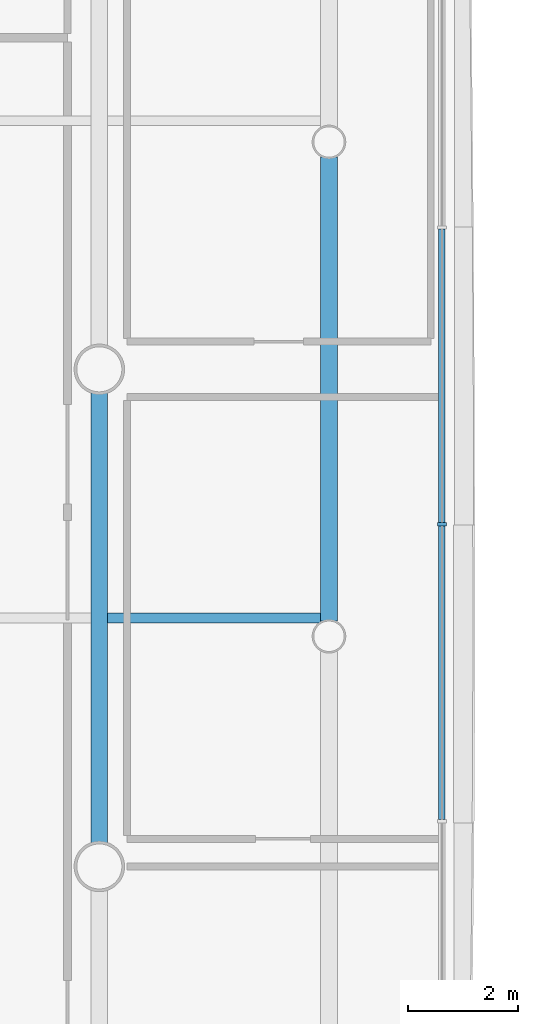
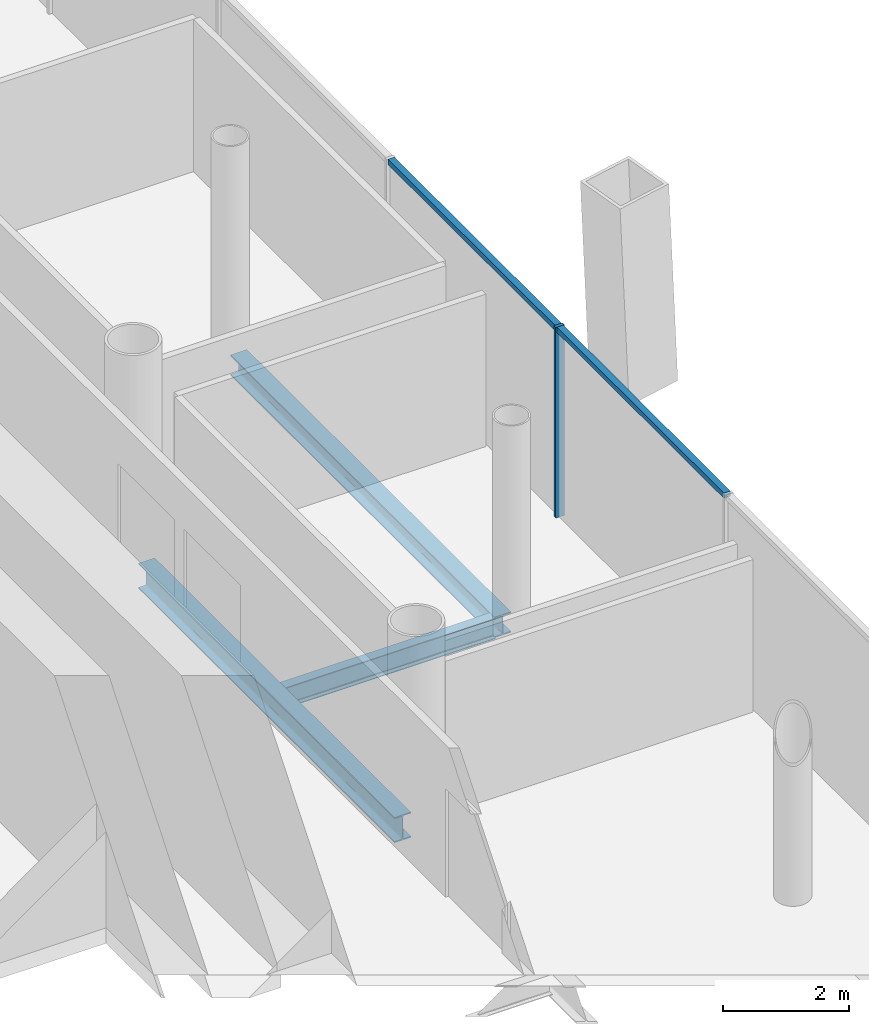
# One storey, part 7 of 22: 3 beams, 3 members, 1 element without a shape of its own.
"""IFC4 building model written with IfcOpenShell, lengths in metres."""

from ifc_helpers import new_model, si_unit, direction, frame, origin, origin_2d, place, context, subcontext, project, spatial, rectangle, i_section, extrude, material, material_profile, profile_set, type_object, element, aggregate, save


model = new_model("IFC4")

# Units and contexts
model_context = context("Model", 3, precision=1e-05, world=origin(), true_north=direction((0.0, 1.0)))
body_context = subcontext(model_context, "Body", "Model", "MODEL_VIEW")
ifc_project = project(units=[si_unit("LENGTHUNIT", "METRE"), si_unit("AREAUNIT", "SQUARE_METRE"), si_unit("VOLUMEUNIT", "CUBIC_METRE"), si_unit("PLANEANGLEUNIT", "RADIAN"), si_unit("MASSUNIT", "GRAM", prefix="KILO")], contexts=[model_context])

# Site, building, storey
site_placement = place(None, origin())
site = spatial("IfcSite", under=ifc_project, at=site_placement, CompositionType="ELEMENT")
building_placement = place(site_placement, origin())
building = spatial("IfcBuilding", under=site, at=building_placement, Name="Tskaro Facet Tower", CompositionType="ELEMENT")
storey_placement = place(building_placement, frame((0.0, 0.0, 26.39990234375)))
storey = spatial("IfcBuildingStorey", under=building, at=storey_placement, Name="L05", CompositionType="ELEMENT", Elevation=26.39990234375)

# Curtain wall, members
ifc_material_1 = material(Name="Bronze anodised aluminium 6063-T6", Category="aluminium")
curtain_wall_type = type_object("IfcCurtainWallType", Name="Bronze office curtain wall (FW1)", PredefinedType="NOTDEFINED", material=ifc_material_1)
curtain_wall_placement = place(storey_placement, origin())
curtain_wall = element("IfcCurtainWall", 1, at=curtain_wall_placement, inside=storey, type_object=curtain_wall_type, Name="FW1 east facet L05", PredefinedType="NOTDEFINED")
ifc_material_profile_1 = material_profile(ifc_material_1, rectangle(XDim=0.06005859375, YDim=0.159912109375, at=origin_2d()), Name="Mullion 60x160")
ifc_profile_set_1 = profile_set([ifc_material_profile_1], Name="Bronze anodised aluminium 6063-T6")
member_type_1 = type_object("IfcMemberType", Name="FW1 bronze mullion 60x160", PredefinedType="MULLION", material=ifc_profile_set_1)
member_1_placement = place(storey_placement, frame((24.201904296875, -2.806884765625, 0.0), z_axis=(0.0, 0.0, 1.0), x_axis=(0.0, 1.0, 0.0)))
member_1 = element("IfcMember", 2, at=member_1_placement, type_object=member_type_1, Name="FW1 east mullion 4", PredefinedType="MULLION", context=body_context, shape_type="SweptSolid", body=[
    extrude(rectangle(XDim=0.06005859375, YDim=0.159912109375, at=origin_2d()), origin(), (0.0, 0.0, 1.0), 3.7001953125),
])
ifc_material_profile_2 = material_profile(ifc_material_1, rectangle(XDim=0.1201171875, YDim=0.10009765625, at=origin_2d()), Name="Transom 120x100")
ifc_profile_set_2 = profile_set([ifc_material_profile_2], Name="Bronze anodised aluminium 6063-T6")
member_type_2 = type_object("IfcMemberType", Name="FW1 bronze transom 120x100", PredefinedType="USERDEFINED", material=ifc_profile_set_2)
member_2_placement = place(storey_placement, frame((24.201904296875, -8.1513671875, 3.650146484375), z_axis=(0.0, 1.0, 0.0), x_axis=(-1.0, 0.0, 0.0)))
member_2 = element("IfcMember", 3, at=member_2_placement, type_object=member_type_2, Name="FW1 east transom 4.1", ObjectType="TRANSOM", PredefinedType="USERDEFINED", context=body_context, shape_type="SweptSolid", body=[
    extrude(rectangle(XDim=0.1201171875, YDim=0.10009765625, at=origin_2d()), origin(), (0.0, 0.0, 1.0), 5.314697265625),
])
member_3_placement = place(storey_placement, frame((24.201904296875, -2.77685546875, 3.650146484375), z_axis=(0.0, 1.0, 0.0), x_axis=(-1.0, 0.0, 0.0)))
member_3 = element("IfcMember", 4, at=member_3_placement, type_object=member_type_2, Name="FW1 east transom 5.1", ObjectType="TRANSOM", PredefinedType="USERDEFINED", context=body_context, shape_type="SweptSolid", body=[
    extrude(rectangle(XDim=0.1201171875, YDim=0.10009765625, at=origin_2d()), origin(), (0.0, 0.0, 1.0), 5.314697265625),
])
aggregate(curtain_wall, [member_1, member_2, member_3])

# Beams
ifc_material_2 = material(Name="Steel S355J2", Category="steel")
ifc_material_profile_3 = material_profile(ifc_material_2, i_section(OverallWidth=0.300048828125, OverallDepth=0.39990234375, WebThickness=0.013427734375, FlangeThickness=0.02392578125, FilletRadius=0.027099609375, at=origin_2d()), Name="HE 400 B")
ifc_profile_set_3 = profile_set([ifc_material_profile_3], Name="Steel S355J2")
beam_type_1 = type_object("IfcBeamType", Name="HE 400 B ring beam", PredefinedType="BEAM", material=ifc_profile_set_3)
beam_1_placement = place(storey_placement, frame((22.156982421875, -4.55810546875, -0.33984375), z_axis=(0.0, 1.0, 0.0), x_axis=(-1.0, 0.0, 0.0)))
element("IfcBeam", 5, at=beam_1_placement, inside=storey, type_object=beam_type_1, Name="HE 400 B EB10-1", PredefinedType="BEAM", context=body_context, shape_type="SweptSolid", body=[
    extrude(i_section(OverallWidth=0.300048828125, OverallDepth=0.39990234375, WebThickness=0.013427734375, FlangeThickness=0.02392578125, FilletRadius=0.027099609375, at=origin_2d()), origin(), (0.0, 0.0, 1.0), 8.399169921875),
])
ifc_material_profile_4 = material_profile(ifc_material_2, i_section(OverallWidth=0.300048828125, OverallDepth=0.489990234375, WebThickness=0.011962890625, FlangeThickness=0.02294921875, FilletRadius=0.027099609375, at=origin_2d()), Name="HE 500 A")
ifc_profile_set_4 = profile_set([ifc_material_profile_4], Name="Steel S355J2")
beam_type_2 = type_object("IfcBeamType", Name="HE 500 A girder", PredefinedType="BEAM", material=ifc_profile_set_4)
beam_2_placement = place(storey_placement, frame((18.0, -8.57275390625, -0.385009765625), z_axis=(0.0, 1.0, 0.0), x_axis=(-1.0, 0.0, 0.0)))
element("IfcBeam", 6, at=beam_2_placement, inside=storey, type_object=beam_type_2, Name="HE 500 A GB6-3-1", PredefinedType="BEAM", context=body_context, shape_type="SweptSolid", body=[
    extrude(i_section(OverallWidth=0.300048828125, OverallDepth=0.489990234375, WebThickness=0.011962890625, FlangeThickness=0.02294921875, FilletRadius=0.027099609375, at=origin_2d()), origin(), (0.0, 0.0, 1.0), 8.1455078125),
])
ifc_material_profile_5 = material_profile(ifc_material_2, i_section(OverallWidth=0.179931640625, OverallDepth=0.39990234375, WebThickness=0.008544921875, FlangeThickness=0.013427734375, FilletRadius=0.02099609375, at=origin_2d()), Name="IPE 400")
ifc_profile_set_5 = profile_set([ifc_material_profile_5], Name="Steel S355J2")
beam_type_3 = type_object("IfcBeamType", Name="IPE 400 secondary beam", PredefinedType="BEAM", material=ifc_profile_set_5)
beam_3_placement = place(storey_placement, frame((18.14990234375, -4.5, -0.33984375), z_axis=(1.0, 0.0, 0.0), x_axis=(0.0, 1.0, 0.0)))
element("IfcBeam", 7, at=beam_3_placement, inside=storey, type_object=beam_type_3, Name="IPE 400 SB3a-4-1", PredefinedType="BEAM", context=body_context, shape_type="SweptSolid", body=[
    extrude(i_section(OverallWidth=0.179931640625, OverallDepth=0.39990234375, WebThickness=0.008544921875, FlangeThickness=0.013427734375, FilletRadius=0.02099609375, at=origin_2d()), origin(), (0.0, 0.0, 1.0), 3.857177734375),
])

save(model, "model.ifc")
